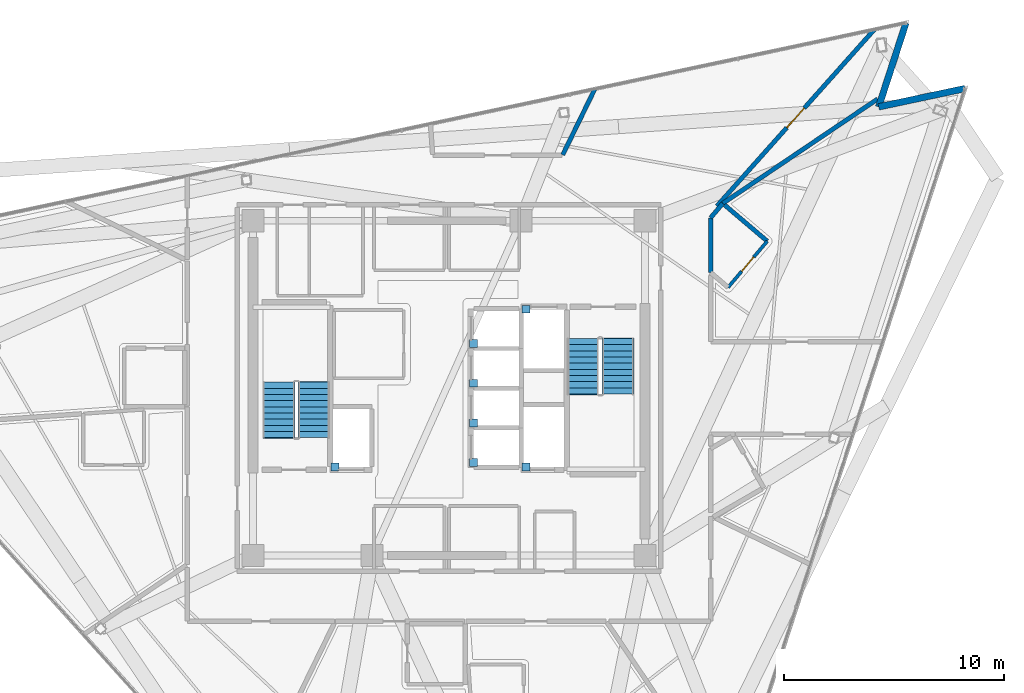
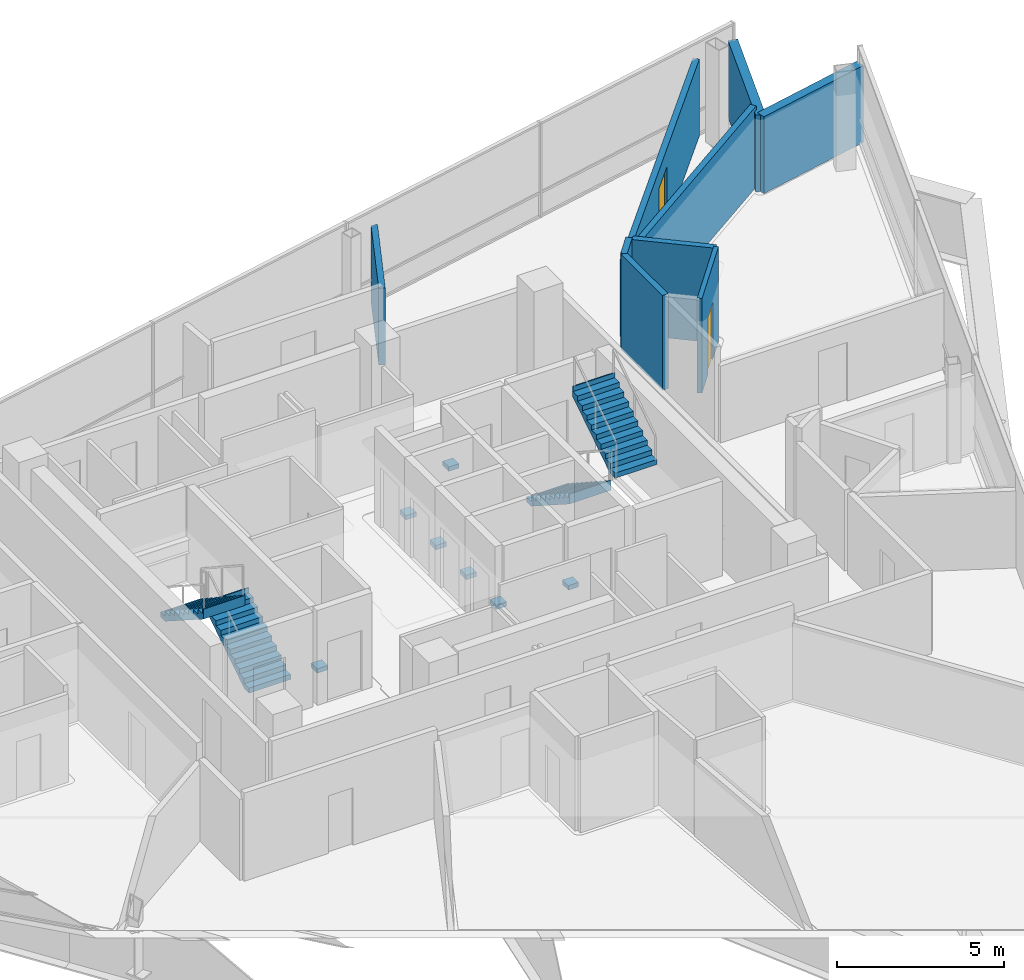
# One storey, part 13 of 18: 9 walls, 7 discrete accessories, 4 stair flights, 2 doors, 2 openings, 2 elements without a shape of their own.
"""IFC4 building model written with IfcOpenShell, lengths in metres."""

import ifcopenshell
import ifcopenshell.guid

model = None  # the IFC model being written
_history = None  # IfcOwnerHistory: only IFC2X3 demands one
_inside = {}  # id of a spatial element -> (the spatial element, [elements in it])
_under = {}  # id of a project, library or spatial element -> (it, [spatial elements below it])
_declared = {}  # id of a project -> (the project, [libraries it declares])
_typed = {}  # id of a type object -> (the type object, [elements of that type])
_made_of = {}  # id of a material, layer set ... -> (it, [elements and type objects made of it])


def new_model(schema):
    """Start an empty IFC model of exactly this schema.

    Asked for "IFC4X3", IfcOpenShell would pick the latest addendum, in which some entities
    have other attributes; the version numbers below select the first issue.
    IFC2X3 requires an IfcOwnerHistory on every rooted entity: one is made here for all.
    """
    global model, _history
    if schema == "IFC4X3":
        model = ifcopenshell.file(schema_version=(4, 3, 0, 0))
    else:
        model = ifcopenshell.file(schema=schema)
    _inside.clear()
    _under.clear()
    _declared.clear()
    _typed.clear()
    _made_of.clear()
    _history = None
    if model.schema == "IFC2X3":
        org = make("IfcOrganization", Name="unknown")
        user = make(
            "IfcPersonAndOrganization",
            ThePerson=make("IfcPerson", FamilyName="unknown"),
            TheOrganization=org,
        )
        app = make(
            "IfcApplication",
            ApplicationDeveloper=org,
            Version="unknown",
            ApplicationFullName="unknown",
            ApplicationIdentifier="unknown",
        )
        _history = make(
            "IfcOwnerHistory",
            OwningUser=user,
            OwningApplication=app,
            ChangeAction="ADDED",
            CreationDate=0,
        )
    return model


def make(cls, **values):
    """One entity of the class cls with the attributes given. An attribute that is None is left unset."""
    return model.create_entity(
        cls, **{name: value for name, value in values.items() if value is not None}
    )


def rooted(cls, **values):
    """An entity with a GlobalId (a new one), such as an element, a storey or a relation."""
    return make(cls, GlobalId=ifcopenshell.guid.new(), OwnerHistory=_history, **values)


def si_unit(unit_type, name, prefix=None):
    """IfcSIUnit, for example si_unit("LENGTHUNIT", "METRE", prefix="MILLI")."""
    return make("IfcSIUnit", UnitType=unit_type, Prefix=prefix, Name=name)


def assignment(units):
    """IfcUnitAssignment: the units of a project."""
    return None if units is None else make("IfcUnitAssignment", Units=units)


def point(xyz):
    """IfcCartesianPoint."""
    return None if xyz is None else make("IfcCartesianPoint", Coordinates=xyz)


def direction(xyz):
    """IfcDirection."""
    return None if xyz is None else make("IfcDirection", DirectionRatios=xyz)


def frame(location, z_axis=None, x_axis=None):
    """IfcAxis2Placement3D, a coordinate frame: its origin and axes. An axis left out is left unset."""
    return make(
        "IfcAxis2Placement3D",
        Location=point(location),
        Axis=direction(z_axis),
        RefDirection=direction(x_axis),
    )


def frame_2d(location, x_axis=None):
    """IfcAxis2Placement2D, a coordinate frame in the plane: its origin and x axis."""
    return make(
        "IfcAxis2Placement2D", Location=point(location), RefDirection=direction(x_axis)
    )


def origin():
    """The frame at (0, 0, 0) with its axes left unset."""
    return frame((0.0, 0.0, 0.0))


def origin_2d():
    """The frame at (0, 0) in the plane with its x axis left unset."""
    return frame_2d((0.0, 0.0))


def place(relative_to, where):
    """IfcLocalPlacement: puts the frame where relative to a parent placement (None: the world)."""
    return make(
        "IfcLocalPlacement", PlacementRelTo=relative_to, RelativePlacement=where
    )


def context(
    kind, dimensions, precision=None, world=None, true_north=None, identifier=None
):
    """IfcGeometricRepresentationContext, for example the 3D "Model" context."""
    return make(
        "IfcGeometricRepresentationContext",
        ContextIdentifier=identifier,
        ContextType=kind,
        CoordinateSpaceDimension=dimensions,
        Precision=precision,
        WorldCoordinateSystem=world,
        TrueNorth=true_north,
    )


def subcontext(parent, identifier, kind, view, scale=None):
    """IfcGeometricRepresentationSubContext, for example "Body" below "Model"."""
    return make(
        "IfcGeometricRepresentationSubContext",
        ContextIdentifier=identifier,
        ContextType=kind,
        ParentContext=parent,
        TargetScale=scale,
        TargetView=view,
    )


def project(units=None, contexts=None):
    """IfcProject with its units and contexts."""
    return rooted(
        "IfcProject",
        Name="project",
        RepresentationContexts=contexts,
        UnitsInContext=assignment(units),
    )


def spatial(cls, under=None, at=None, **own):
    """A site, building, storey or space (cls), placed at a placement, below another one or the project."""
    s = rooted(cls, ObjectPlacement=at, **own)
    if under is not None:
        _under.setdefault(under.id(), (under, []))[1].append(s)
    return s


def polyline(points):
    """IfcPolyline through the points."""
    return make("IfcPolyline", Points=[point(p) for p in points])


def profile(cls, at=None, kind="AREA", **sizes):
    """A parametric profile (cls). Its sizes go by their IFC names, for example OverallWidth=200.0."""
    return make(cls, ProfileType=kind, Position=at, **sizes)


def rectangle(**sizes):
    """IfcRectangleProfileDef."""
    return profile("IfcRectangleProfileDef", **sizes)


def outline(outer, holes=None, kind="AREA"):
    """IfcArbitraryClosedProfileDef: a profile drawn as a closed curve; with holes, ...WithVoids."""
    if holes is None:
        return make("IfcArbitraryClosedProfileDef", ProfileType=kind, OuterCurve=outer)
    return make(
        "IfcArbitraryProfileDefWithVoids",
        ProfileType=kind,
        OuterCurve=outer,
        InnerCurves=holes,
    )


def extrude(swept, where, along, depth):
    """IfcExtrudedAreaSolid: the profile swept, set in the frame where, extruded along a direction by depth."""
    return make(
        "IfcExtrudedAreaSolid",
        SweptArea=swept,
        Position=where,
        ExtrudedDirection=direction(along),
        Depth=depth,
    )


def shape(context_of_items, identifier, shape_type, items):
    """IfcShapeRepresentation: the items that make up one representation, for example the "Body"."""
    return make(
        "IfcShapeRepresentation",
        ContextOfItems=context_of_items,
        RepresentationIdentifier=identifier,
        RepresentationType=shape_type,
        Items=items,
    )


def material(Name=None, Category=None):
    """IfcMaterial."""
    return make("IfcMaterial", Name=Name, Category=Category)


def layer(
    of_material, thickness, ventilated=None, Name=None, Category=None, Priority=None
):
    """IfcMaterialLayer: one layer of a wall or slab, of a material (None: an air gap)."""
    return make(
        "IfcMaterialLayer",
        Material=of_material,
        LayerThickness=thickness,
        IsVentilated=ventilated,
        Name=Name,
        Category=Category,
        Priority=Priority,
    )


def layer_set(layers, Name=None):
    """IfcMaterialLayerSet."""
    return make("IfcMaterialLayerSet", MaterialLayers=layers, LayerSetName=Name)


def made_of(thing, what):
    """Note that an element or type object is made of a material, layer set ...; save() writes the relation."""
    if what is not None:
        _made_of.setdefault(what.id(), (what, []))[1].append(thing)
    return thing


def type_object(cls, material=None, **own):
    """A type object (cls), such as IfcWallType, which elements share."""
    return made_of(rooted(cls, **own), material)


def element(
    cls,
    number,
    at=None,
    inside=None,
    cuts=None,
    type_object=None,
    material=None,
    context=None,
    identifier="Body",
    shape_type=None,
    held_by="IfcProductDefinitionShape",
    body=None,
    shapes=None,
    **own,
):
    """One element of the class cls, such as IfcWall. Its Tag is "e" and its number.

    at: its placement. inside: the storey or other place that contains it. cuts: it is an
    opening in that element (IfcRelVoidsElement). A single representation is given by context,
    identifier, shape_type and body (its items); several are given by shapes. held_by: the class
    of the entity that holds the representations. save() writes the other relations.
    """
    e = rooted(cls, Tag="e%d" % number, ObjectPlacement=at, **own)
    if body is not None:
        shapes = [shape(context, identifier, shape_type, body)]
    if shapes is not None:
        e.Representation = make(held_by, Representations=shapes)
    if inside is not None:
        _inside.setdefault(inside.id(), (inside, []))[1].append(e)
    if cuts is not None:
        rooted(
            "IfcRelVoidsElement", RelatingBuildingElement=cuts, RelatedOpeningElement=e
        )
    if type_object is not None:
        _typed.setdefault(type_object.id(), (type_object, []))[1].append(e)
    return made_of(e, material)


def fill(opening, filler):
    """IfcRelFillsElement: the door or window that sits in an opening."""
    return rooted(
        "IfcRelFillsElement",
        RelatingOpeningElement=opening,
        RelatedBuildingElement=filler,
    )


def aggregate(whole, parts):
    """IfcRelAggregates: a whole, such as a stair, and the parts it consists of."""
    return rooted("IfcRelAggregates", RelatingObject=whole, RelatedObjects=parts)


def save(model, path):
    """Write the relations noted so far, then the file.

    IfcRelAggregates (storeys below a building ...), IfcRelContainedInSpatialStructure (elements
    in a storey), IfcRelDefinesByType, IfcRelAssociatesMaterial and IfcRelDeclares: one each for
    every whole, place, type object, material and project.
    """
    for whole, parts in _under.values():
        aggregate(whole, parts)
    for where, things in _inside.values():
        rooted(
            "IfcRelContainedInSpatialStructure",
            RelatedElements=things,
            RelatingStructure=where,
        )
    for kind, things in _typed.values():
        rooted("IfcRelDefinesByType", RelatedObjects=things, RelatingType=kind)
    for what, things in _made_of.values():
        rooted("IfcRelAssociatesMaterial", RelatedObjects=things, RelatingMaterial=what)
    for by, libraries in _declared.values():
        rooted("IfcRelDeclares", RelatingContext=by, RelatedDefinitions=libraries)
    model.write(path)


model = new_model("IFC4")

# Units and contexts
model_context = context("Model", 3, precision=1e-05, world=origin(), true_north=direction((0.0, 1.0)))
body_context = subcontext(model_context, "Body", "Model", "MODEL_VIEW")
ifc_project = project(units=[si_unit("LENGTHUNIT", "METRE"), si_unit("AREAUNIT", "SQUARE_METRE"), si_unit("VOLUMEUNIT", "CUBIC_METRE"), si_unit("PLANEANGLEUNIT", "RADIAN"), si_unit("MASSUNIT", "GRAM", prefix="KILO")], contexts=[model_context])

# Site, building, storey
site_placement = place(None, origin())
site = spatial("IfcSite", under=ifc_project, at=site_placement, CompositionType="ELEMENT")
building_placement = place(site_placement, origin())
building = spatial("IfcBuilding", under=site, at=building_placement, Name="Tharavind Bronze Gate", CompositionType="ELEMENT")
storey_placement = place(building_placement, frame((0.0, 0.0, 279.75)))
storey = spatial("IfcBuildingStorey", under=building, at=storey_placement, Name="L72", CompositionType="ELEMENT", Elevation=279.75)

# Walls
ifc_material_1 = material(Name="Concrete C40/50", Category="concrete")
ifc_layer_1 = layer(ifc_material_1, 0.300048828125)
ifc_layer_set_1 = layer_set([ifc_layer_1], Name="Concrete C40/50")
wall_type_1 = type_object("IfcWallType", Name="EXTERIOR SPANDREL WALL 300", PredefinedType="STANDARD", material=ifc_layer_set_1)
wall_1_placement = place(storey_placement, frame((23.433837890625, 13.603271484375, 0.0), z_axis=(0.0, 0.0, 1.0), x_axis=(-0.97815049033, -0.207898095871, 0.0)))
element("IfcWall", 1, at=wall_1_placement, inside=storey, type_object=wall_type_1, Name="L72 notch cheek wall 3A", PredefinedType="STANDARD", context=body_context, shape_type="SweptSolid", body=[
    extrude(rectangle(XDim=4.008056640625, YDim=0.300048828125, at=frame_2d((2.00390625, 0.0))), origin(), (0.0, 0.0, 1.0), 2.81005859375),
])
wall_2_placement = place(storey_placement, frame((19.513427734375, 12.77001953125, 0.0), z_axis=(0.0, 0.0, 1.0), x_axis=(0.309018580232, 0.951056001018, 0.0)))
element("IfcWall", 2, at=wall_2_placement, inside=storey, type_object=wall_type_1, Name="L72 notch cheek wall 3B", PredefinedType="STANDARD", context=body_context, shape_type="SweptSolid", body=[
    extrude(rectangle(XDim=4.0078125, YDim=0.300048828125, at=frame_2d((2.00390625, 0.0))), origin(), (0.0, 0.0, 1.0), 2.81005859375),
])
ifc_material_2 = material(Name="Aerated Concrete Block", Category="concrete")
ifc_layer_2 = layer(ifc_material_2, 0.199951171875)
ifc_layer_set_2 = layer_set([ifc_layer_2], Name="Aerated Concrete Block")
wall_type_2 = type_object("IfcWallType", Name="FIRE RATED PARTITION 200", PredefinedType="PARTITIONING", material=ifc_layer_set_2)
wall_3_placement = place(storey_placement, frame((11.8798828125, 5.250732421875, 0.0), z_axis=(0.0, 0.0, 1.0), x_axis=(0.0, 1.0, 0.0)))
element("IfcWall", 3, at=wall_3_placement, inside=storey, type_object=wall_type_2, Name="L72 En-Suite Bathroom partition", PredefinedType="PARTITIONING", context=body_context, shape_type="SweptSolid", body=[
    extrude(rectangle(XDim=2.483154296875, YDim=0.199951171875, at=frame_2d((1.24169921875, 0.0))), origin(), (0.0, 0.0, 1.0), 3.465087890625),
])
wall_4_placement = place(storey_placement, frame((11.8798828125, 7.73388671875, 0.0), z_axis=(0.0, 0.0, 1.0), x_axis=(0.647383821679, 0.7621641473, 0.0)))
element("IfcWall", 4, at=wall_4_placement, inside=storey, type_object=wall_type_2, Name="L72 En-Suite Bathroom partition", PredefinedType="PARTITIONING", context=body_context, shape_type="SweptSolid", body=[
    extrude(rectangle(XDim=0.857177734375, YDim=0.199951171875, at=frame_2d((0.4287109375, 0.0))), origin(), (0.0, 0.0, 1.0), 3.465087890625),
])
wall_5_placement = place(storey_placement, frame((12.5146484375, 8.3193359375, 0.0), z_axis=(0.0, 0.0, 1.0), x_axis=(0.762275325084, -0.647252909432, 0.0)))
element("IfcWall", 5, at=wall_5_placement, inside=storey, type_object=wall_type_2, Name="L72 En-Suite Bathroom partition", PredefinedType="PARTITIONING", context=body_context, shape_type="SweptSolid", body=[
    extrude(rectangle(XDim=2.544921875, YDim=0.199951171875, at=frame_2d((1.2724609375, 0.0))), origin(), (0.0, 0.0, 1.0), 3.465087890625),
])
wall_6_placement = place(storey_placement, frame((12.434814453125, 8.38720703125, 0.0), z_axis=(0.0, 0.0, 1.0), x_axis=(0.82904079251, 0.559188129661, 0.0)))
element("IfcWall", 6, at=wall_6_placement, inside=storey, type_object=wall_type_2, Name="L72 Corner Hotel Suite partition", PredefinedType="PARTITIONING", context=body_context, shape_type="SweptSolid", body=[
    extrude(rectangle(XDim=8.483642578125, YDim=0.199951171875, at=frame_2d((4.24169921875, 0.0))), origin(), (0.0, 0.0, 1.0), 2.9599609375),
])

# Wall, opening, door
wall_7_placement = place(storey_placement, frame((12.1640625, 8.26416015625, 0.0), z_axis=(0.0, 0.0, 1.0), x_axis=(0.665683993265, 0.746233757686, 0.0)))
wall_7 = element("IfcWall", 7, at=wall_7_placement, inside=storey, type_object=wall_type_2, Name="L72 Hotel Guest Lounge partition", PredefinedType="PARTITIONING", context=body_context, shape_type="SweptSolid", body=[
    extrude(rectangle(XDim=10.735595703125, YDim=0.199951171875, at=frame_2d((5.36767578125, 0.0))), origin(), (0.0, 0.0, 1.0), 2.81005859375),
])
opening_1_placement = place(wall_7_placement, frame((4.76806640625, 0.0, 0.0)))
opening_1 = element("IfcOpeningElement", 8, at=opening_1_placement, cuts=wall_7, Name="Opening ID05", PredefinedType="OPENING", context=body_context, shape_type="SweptSolid", body=[
    extrude(rectangle(XDim=1.199951171875, YDim=2.14990234375, at=frame_2d((0.60009765625, 1.074951171875))), frame((0.0, 0.11009765625, 0.0), z_axis=(0.0, -1.0, 0.0), x_axis=(1.0, 0.0, 0.0)), (0.0, 0.0, 1.0), 0.219951171875),
])
ifc_material_3 = material(Name="Acoustic Laminated Glass", Category="glass")
door_type_1 = type_object("IfcDoorType", Name="MEETING ROOM GLAZED DOOR 1200X2150", OperationType="SINGLE_SWING_LEFT", PredefinedType="DOOR", material=ifc_material_3)
door_1_placement = place(opening_1_placement, origin())
door_1 = element("IfcDoor", 9, at=door_1_placement, inside=storey, type_object=door_type_1, Name="L72 Hotel Guest Lounge door", OperationType="SINGLE_SWING_LEFT", OverallHeight=2.14990234375, OverallWidth=1.199951171875, PredefinedType="DOOR", context=body_context, shape_type="SweptSolid", body=[
    extrude(rectangle(XDim=1.199951171875, YDim=2.14990234375, at=frame_2d((0.60009765625, 1.074951171875))), frame((0.0, 0.02490234375, 0.0), z_axis=(0.0, -1.0, 0.0), x_axis=(1.0, 0.0, 0.0)), (0.0, 0.0, 1.0), 0.050048828125),
])
fill(opening_1, door_1)

# Wall
wall_8_placement = place(storey_placement, frame((6.622802734375, 13.57861328125, 0.0), z_axis=(0.0, 0.0, 1.0), x_axis=(-0.438399007469, -0.898780457203, 0.0)))
element("IfcWall", 10, at=wall_8_placement, inside=storey, type_object=wall_type_2, Name="L72 Hotel Guest Lounge partition", PredefinedType="PARTITIONING", context=body_context, shape_type="SweptSolid", body=[
    extrude(rectangle(XDim=3.32080078125, YDim=0.199951171875, at=frame_2d((1.660400390625, 0.0))), origin(), (0.0, 0.0, 1.0), 2.81005859375),
])

# Wall, opening, door
ifc_material_4 = material(Name="Twin Stud Acoustic Gypsum", Category="gypsum")
ifc_layer_3 = layer(ifc_material_4, 0.14990234375)
ifc_layer_set_3 = layer_set([ifc_layer_3], Name="Twin Stud Acoustic Gypsum")
wall_type_3 = type_object("IfcWallType", Name="INTERIOR PARTITION WALL 150", PredefinedType="PARTITIONING", material=ifc_layer_set_3)
wall_9_placement = place(storey_placement, frame((14.45458984375, 6.672119140625, 0.0), z_axis=(0.0, 0.0, 1.0), x_axis=(-0.647230821936, -0.762294079169, 0.0)))
wall_9 = element("IfcWall", 11, at=wall_9_placement, inside=storey, type_object=wall_type_3, Name="L72 En-Suite Bathroom partition", PredefinedType="PARTITIONING", context=body_context, shape_type="SweptSolid", body=[
    extrude(rectangle(XDim=2.749755859375, YDim=0.14990234375, at=frame_2d((1.375, 0.0))), origin(), (0.0, 0.0, 1.0), 3.465087890625),
])
opening_2_placement = place(wall_9_placement, frame((0.949951171875, 0.0, 0.0)))
opening_2 = element("IfcOpeningElement", 12, at=opening_2_placement, cuts=wall_9, Name="Opening ID06", PredefinedType="OPENING", context=body_context, shape_type="SweptSolid", body=[
    extrude(rectangle(XDim=0.85009765625, YDim=2.10009765625, at=frame_2d((0.425048828125, 1.050048828125))), frame((0.0, 0.084951171875, 0.0), z_axis=(0.0, -1.0, 0.0), x_axis=(1.0, 0.0, 0.0)), (0.0, 0.0, 1.0), 0.16990234375),
])
ifc_material_5 = material(Name="Moisture-Resistant Timber", Category="wood")
door_type_2 = type_object("IfcDoorType", Name="BATHROOM PRIVACY DOOR 850X2100", OperationType="SINGLE_SWING_RIGHT", PredefinedType="DOOR", material=ifc_material_5)
door_2_placement = place(opening_2_placement, origin())
door_2 = element("IfcDoor", 13, at=door_2_placement, inside=storey, type_object=door_type_2, Name="L72 En-Suite Bathroom door", OperationType="SINGLE_SWING_RIGHT", OverallHeight=2.10009765625, OverallWidth=0.85009765625, PredefinedType="DOOR", context=body_context, shape_type="SweptSolid", body=[
    extrude(rectangle(XDim=0.85009765625, YDim=2.10009765625, at=frame_2d((0.425048828125, 1.050048828125))), frame((0.0, 0.02490234375, 0.0), z_axis=(0.0, -1.0, 0.0), x_axis=(1.0, 0.0, 0.0)), (0.0, 0.0, 1.0), 0.050048828125),
])
fill(opening_2, door_2)

# Stair, stair flights
stair_type = type_object("IfcStairType", Name="CORE HALF TURN STAIR 1450", PredefinedType="HALF_TURN_STAIR", material=ifc_material_1)
stair_1_placement = place(storey_placement, origin())
stair_1 = element("IfcStair", 14, at=stair_1_placement, inside=storey, type_object=stair_type, Name="L72 Protected Exit Stair ST1", PredefinedType="HALF_TURN_STAIR")
stair_flight_type = type_object("IfcStairFlightType", Name="CORE STAIR FLIGHT 1450", PredefinedType="STRAIGHT", material=ifc_material_1)
stair_flight_1_placement = place(storey_placement, frame((-6.125, -2.25, 0.0), z_axis=(0.0, 0.0, 1.0), x_axis=(0.0, 1.0, 0.0)))
stair_flight_1 = element("IfcStairFlight", 15, at=stair_flight_1_placement, type_object=stair_flight_type, Name="ST1 flight 1", NumberOfRisers=10, NumberOfTreads=9, PredefinedType="STRAIGHT", RiserHeight=0.1825, TreadLength=0.28, context=body_context, shape_type="SweptSolid", body=[
    extrude(outline(polyline([(0.0, 0.0), (0.0, 0.1826171875), (0.280029296875, 0.1826171875), (0.280029296875, 0.364990234375), (0.56005859375, 0.364990234375), (0.56005859375, 0.547607421875), (0.840087890625, 0.547607421875), (0.840087890625, 0.72998046875), (1.1201171875, 0.72998046875), (1.1201171875, 0.91259765625), (1.39990234375, 0.91259765625), (1.39990234375, 1.094970703125), (1.679931640625, 1.094970703125), (1.679931640625, 1.277587890625), (1.9599609375, 1.277587890625), (1.9599609375, 1.4599609375), (2.239990234375, 1.4599609375), (2.239990234375, 1.642578125), (2.52001953125, 1.642578125), (2.52001953125, 1.824951171875), (2.555908203125, 1.824951171875), (2.555908203125, 1.463623046875), (0.2744140625, 0.0), (0.0, 0.0)])), frame((0.0, 0.72509765625, 0.0), z_axis=(0.0, -1.0, 0.0), x_axis=(1.0, 0.0, 0.0)), (0.0, 0.0, 1.0), 1.449951171875),
])
stair_flight_2_placement = place(storey_placement, frame((-7.72509765625, 0.27001953125, 1.824951171875), z_axis=(0.0, 0.0, 1.0), x_axis=(0.0, -1.0, 0.0)))
stair_flight_2 = element("IfcStairFlight", 16, at=stair_flight_2_placement, type_object=stair_flight_type, Name="ST1 flight 2", NumberOfRisers=10, NumberOfTreads=9, PredefinedType="STRAIGHT", RiserHeight=0.1825, TreadLength=0.28, context=body_context, shape_type="SweptSolid", body=[
    extrude(outline(polyline([(0.0, 0.0), (0.0, 0.1826171875), (0.280029296875, 0.1826171875), (0.280029296875, 0.364990234375), (0.56005859375, 0.364990234375), (0.56005859375, 0.547607421875), (0.840087890625, 0.547607421875), (0.840087890625, 0.72998046875), (1.1201171875, 0.72998046875), (1.1201171875, 0.91259765625), (1.39990234375, 0.91259765625), (1.39990234375, 1.094970703125), (1.679931640625, 1.094970703125), (1.679931640625, 1.277587890625), (1.9599609375, 1.277587890625), (1.9599609375, 1.4599609375), (2.239990234375, 1.4599609375), (2.239990234375, 1.642578125), (2.52001953125, 1.642578125), (2.52001953125, 1.824951171875), (2.555908203125, 1.824951171875), (2.555908203125, 1.463623046875), (0.2744140625, 0.0), (0.0, 0.0)])), frame((0.0, 0.72509765625, 0.0), z_axis=(0.0, -1.0, 0.0), x_axis=(1.0, 0.0, 0.0)), (0.0, 0.0, 1.0), 1.449951171875),
])
aggregate(stair_1, [stair_flight_1, stair_flight_2])

stair_2_placement = place(storey_placement, origin())
stair_2 = element("IfcStair", 17, at=stair_2_placement, inside=storey, type_object=stair_type, Name="L72 Protected Exit Stair ST2", PredefinedType="HALF_TURN_STAIR")
stair_flight_3_placement = place(storey_placement, frame((6.074951171875, 2.25, 0.0), z_axis=(0.0, 0.0, 1.0), x_axis=(0.0, -1.0, 0.0)))
stair_flight_3 = element("IfcStairFlight", 18, at=stair_flight_3_placement, type_object=stair_flight_type, Name="ST2 flight 1", NumberOfRisers=10, NumberOfTreads=9, PredefinedType="STRAIGHT", RiserHeight=0.1825, TreadLength=0.28, context=body_context, shape_type="SweptSolid", body=[
    extrude(outline(polyline([(0.0, 0.0), (0.0, 0.1826171875), (0.280029296875, 0.1826171875), (0.280029296875, 0.364990234375), (0.56005859375, 0.364990234375), (0.56005859375, 0.547607421875), (0.840087890625, 0.547607421875), (0.840087890625, 0.72998046875), (1.1201171875, 0.72998046875), (1.1201171875, 0.91259765625), (1.39990234375, 0.91259765625), (1.39990234375, 1.094970703125), (1.679931640625, 1.094970703125), (1.679931640625, 1.277587890625), (1.9599609375, 1.277587890625), (1.9599609375, 1.4599609375), (2.239990234375, 1.4599609375), (2.239990234375, 1.642578125), (2.52001953125, 1.642578125), (2.52001953125, 1.824951171875), (2.555908203125, 1.824951171875), (2.555908203125, 1.463623046875), (0.2744140625, 0.0), (0.0, 0.0)])), frame((0.0, 0.72509765625, 0.0), z_axis=(0.0, -1.0, 0.0), x_axis=(1.0, 0.0, 0.0)), (0.0, 0.0, 1.0), 1.449951171875),
])
stair_flight_4_placement = place(storey_placement, frame((7.675048828125, -0.27001953125, 1.824951171875), z_axis=(0.0, 0.0, 1.0), x_axis=(0.0, 1.0, 0.0)))
stair_flight_4 = element("IfcStairFlight", 19, at=stair_flight_4_placement, type_object=stair_flight_type, Name="ST2 flight 2", NumberOfRisers=10, NumberOfTreads=9, PredefinedType="STRAIGHT", RiserHeight=0.1825, TreadLength=0.28, context=body_context, shape_type="SweptSolid", body=[
    extrude(outline(polyline([(0.0, 0.0), (0.0, 0.1826171875), (0.280029296875, 0.1826171875), (0.280029296875, 0.364990234375), (0.56005859375, 0.364990234375), (0.56005859375, 0.547607421875), (0.840087890625, 0.547607421875), (0.840087890625, 0.72998046875), (1.1201171875, 0.72998046875), (1.1201171875, 0.91259765625), (1.39990234375, 0.91259765625), (1.39990234375, 1.094970703125), (1.679931640625, 1.094970703125), (1.679931640625, 1.277587890625), (1.9599609375, 1.277587890625), (1.9599609375, 1.4599609375), (2.239990234375, 1.4599609375), (2.239990234375, 1.642578125), (2.52001953125, 1.642578125), (2.52001953125, 1.824951171875), (2.555908203125, 1.824951171875), (2.555908203125, 1.463623046875), (0.2744140625, 0.0), (0.0, 0.0)])), frame((0.0, 0.72509765625, 0.0), z_axis=(0.0, -1.0, 0.0), x_axis=(1.0, 0.0, 0.0)), (0.0, 0.0, 1.0), 1.449951171875),
])
aggregate(stair_2, [stair_flight_3, stair_flight_4])

# Discrete accessories
ifc_material_6 = material(Name="Galvanised Steel S355", Category="steel")
discrete_accessory_type = type_object("IfcDiscreteAccessoryType", Name="LIFT GUIDE RAIL BRACKET", PredefinedType="BRACKET", material=ifc_material_6)
for number, where, z_axis, x_axis, name in (
    (20, (1.1201171875, -3.3798828125, 1.1201171875), (0.0, 0.0, 1.0), (1.0, 0.0, 0.0), "Lift PL9 guide rail bracket at L72"),
    (21, (1.1201171875, -1.580078125, 1.1201171875), (0.0, 0.0, 1.0), (1.0, 0.0, 0.0), "Lift PL10 guide rail bracket at L72"),
    (22, (1.1201171875, 0.219970703125, 1.1201171875), (0.0, 0.0, 1.0), (1.0, 0.0, 0.0), "Lift PL11 guide rail bracket at L72"),
    (23, (1.1201171875, 2.02001953125, 1.1201171875), (0.0, 0.0, 1.0), (1.0, 0.0, 0.0), "Lift PL12 guide rail bracket at L72"),
    (24, (-5.179931640625, -3.580078125, 1.1201171875), (0.0, 0.0, 1.0), (1.0, 0.0, 0.0), "Lift FFL1 guide rail bracket at L72"),
    (25, (3.5, 3.580078125, 1.1201171875), (0.0, 0.0, 1.0), (1.0, 0.0, 0.0), "Lift FFL2 guide rail bracket at L72"),
    (26, (3.5, -3.580078125, 1.1201171875), (0.0, 0.0, 1.0), (1.0, 0.0, 0.0), "Lift SVL1 guide rail bracket at L72"),
):
    element("IfcDiscreteAccessory", number, at=place(storey_placement, frame(where, z_axis=z_axis, x_axis=x_axis)), inside=storey, type_object=discrete_accessory_type, Name=name, PredefinedType="BRACKET", context=body_context, shape_type="SweptSolid", body=[
        extrude(rectangle(XDim=0.360107421875, YDim=0.360107421875, at=origin_2d()), origin(), (0.0, 0.0, 1.0), 0.159912109375),
    ])

save(model, "model.ifc")
